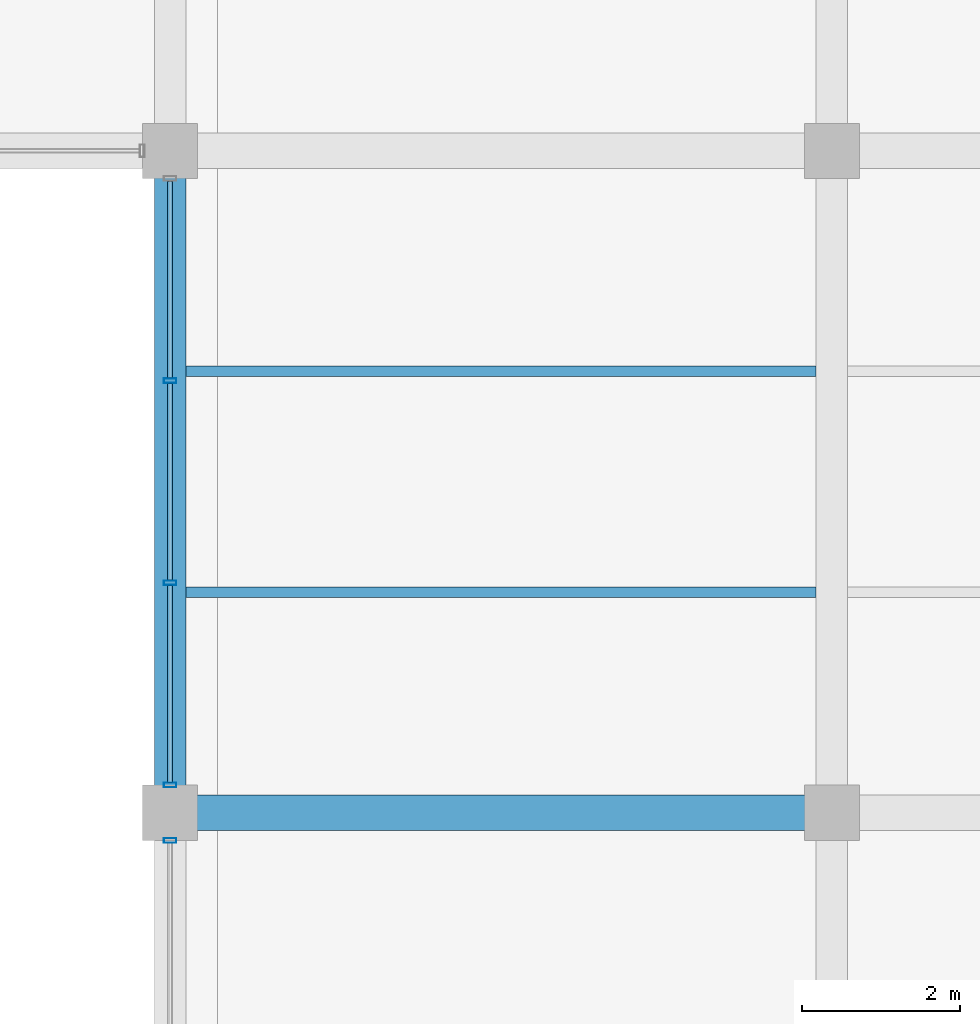
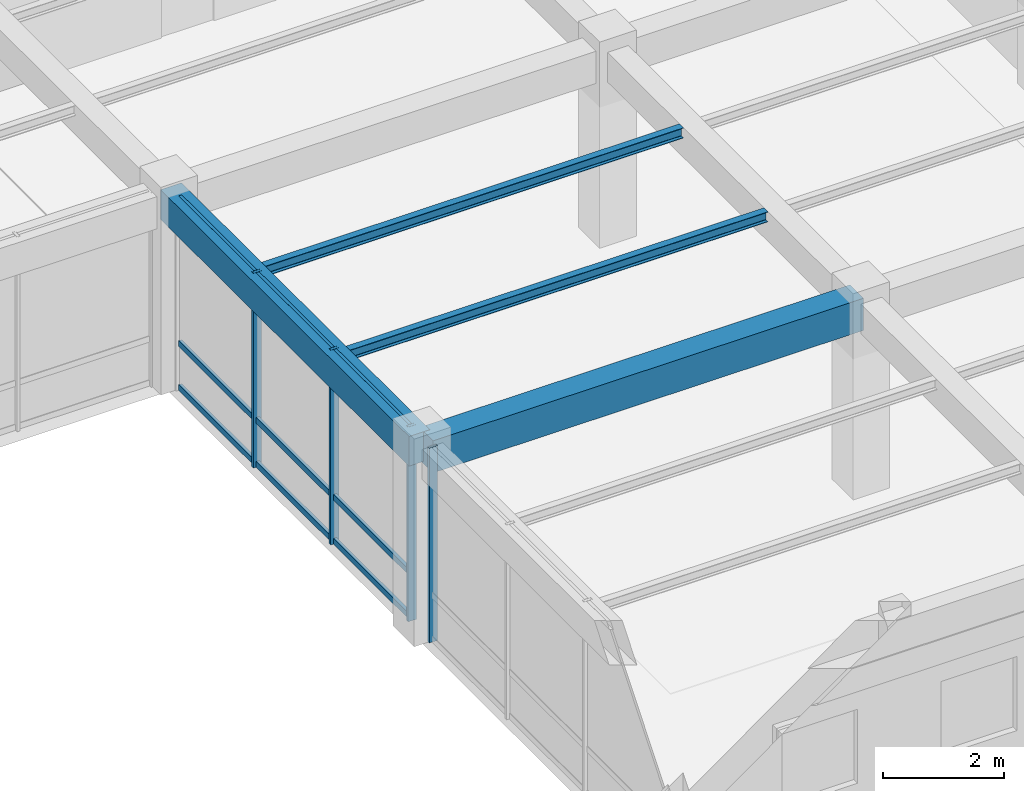
# One storey, part 18 of 152: 13 members, 4 beams, 2 elements without a shape of their own.
"""IFC4 building model written with IfcOpenShell, lengths in metres."""

from ifc_helpers import new_model, si_unit, direction, frame, origin, origin_2d, place, context, subcontext, project, spatial, rectangle, hollow_rectangle, i_section, extrude, material, material_profile, profile_set, type_object, element, aggregate, save


model = new_model("IFC4")

# Units and contexts
model_context = context("Model", 3, precision=1e-05, world=origin(), true_north=direction((0.0, 1.0)))
body_context = subcontext(model_context, "Body", "Model", "MODEL_VIEW")
ifc_project = project(units=[si_unit("LENGTHUNIT", "METRE"), si_unit("AREAUNIT", "SQUARE_METRE"), si_unit("VOLUMEUNIT", "CUBIC_METRE"), si_unit("PLANEANGLEUNIT", "RADIAN"), si_unit("MASSUNIT", "GRAM", prefix="KILO"), si_unit("THERMODYNAMICTEMPERATUREUNIT", "KELVIN"), si_unit("POWERUNIT", "WATT")], contexts=[model_context])

# Site, building, storey
site_placement = place(None, origin())
site = spatial("IfcSite", under=ifc_project, at=site_placement, CompositionType="ELEMENT")
building_placement = place(site_placement, origin())
building = spatial("IfcBuilding", under=site, at=building_placement, Name="Darbajah Civic Hall", CompositionType="ELEMENT")
storey_placement = place(building_placement, frame((0.0, 0.0, 5.39990234375)))
storey = spatial("IfcBuildingStorey", under=building, at=storey_placement, Name="L01", CompositionType="ELEMENT", Elevation=5.39990234375)

# Curtain wall, members
ifc_material_1 = material(Name="Anodised Bronze Aluminium and Low-E Glazing", Category="aluminium")
curtain_wall_type = type_object("IfcCurtainWallType", Name="Unitised Curtain Wall CW-99 7700x3950", PredefinedType="USERDEFINED", material=ifc_material_1)
curtain_wall_1_placement = place(storey_placement, origin())
curtain_wall_1 = element("IfcCurtainWall", 1, at=curtain_wall_1_placement, inside=storey, type_object=curtain_wall_type, Name="L01 unitised curtain wall CW-V5-L01-S3-B0", ObjectType="UNITISED CURTAIN WALL", PredefinedType="USERDEFINED")
ifc_material_2 = material(Name="Anodised Bronze Aluminium", Category="aluminium")
ifc_material_profile_1 = material_profile(ifc_material_2, hollow_rectangle(XDim=0.06005859375, YDim=0.159912109375, WallThickness=0.00341796875, at=origin_2d()), Name="ALU MULLION 60x160")
ifc_profile_set_1 = profile_set([ifc_material_profile_1], Name="Anodised Bronze Aluminium")
member_type_1 = type_object("IfcMemberType", Name="ALU MULLION 60x160", PredefinedType="MULLION", material=ifc_profile_set_1)
member_1_placement = place(storey_placement, frame((50.39990234375, 13.8828125, 0.0), z_axis=(0.0, 0.0, 1.0), x_axis=(0.0, -1.0, 0.0)))
member_1 = element("IfcMember", 2, at=member_1_placement, type_object=member_type_1, Name="CW-V5-L01-S3-B0 mullion 2", PredefinedType="MULLION", context=body_context, shape_type="SweptSolid", body=[
    extrude(hollow_rectangle(XDim=0.06005859375, YDim=0.159912109375, WallThickness=0.00341796875, at=origin_2d()), origin(), (0.0, 0.0, 1.0), 3.940185546875),
])
member_2_placement = place(storey_placement, frame((50.39990234375, 11.3173828125, 0.0), z_axis=(0.0, 0.0, 1.0), x_axis=(0.0, -1.0, 0.0)))
member_2 = element("IfcMember", 3, at=member_2_placement, type_object=member_type_1, Name="CW-V5-L01-S3-B0 mullion 3", PredefinedType="MULLION", context=body_context, shape_type="SweptSolid", body=[
    extrude(hollow_rectangle(XDim=0.06005859375, YDim=0.159912109375, WallThickness=0.00341796875, at=origin_2d()), origin(), (0.0, 0.0, 1.0), 3.940185546875),
])
member_3_placement = place(storey_placement, frame((50.39990234375, 8.751953125, 0.0), z_axis=(0.0, 0.0, 1.0), x_axis=(0.0, -1.0, 0.0)))
member_3 = element("IfcMember", 4, at=member_3_placement, type_object=member_type_1, Name="CW-V5-L01-S3-B0 mullion 4", PredefinedType="MULLION", context=body_context, shape_type="SweptSolid", body=[
    extrude(hollow_rectangle(XDim=0.06005859375, YDim=0.159912109375, WallThickness=0.00341796875, at=origin_2d()), origin(), (0.0, 0.0, 1.0), 3.940185546875),
])

# Curtain wall, member
curtain_wall_2_placement = place(storey_placement, origin())
curtain_wall_2 = element("IfcCurtainWall", 5, at=curtain_wall_2_placement, inside=storey, type_object=curtain_wall_type, Name="L01 unitised curtain wall CW-V5-L01-S3-B1", ObjectType="UNITISED CURTAIN WALL", PredefinedType="USERDEFINED")
member_4_placement = place(storey_placement, frame((50.39990234375, 8.048095703125, 0.0), z_axis=(0.0, 0.0, 1.0), x_axis=(0.0, -1.0, 0.0)))
member_4 = element("IfcMember", 6, at=member_4_placement, type_object=member_type_1, Name="CW-V5-L01-S3-B1 mullion 1", PredefinedType="MULLION", context=body_context, shape_type="SweptSolid", body=[
    extrude(hollow_rectangle(XDim=0.06005859375, YDim=0.159912109375, WallThickness=0.00341796875, at=origin_2d()), origin(), (0.0, 0.0, 1.0), 3.940185546875),
])
aggregate(curtain_wall_2, [member_4])

# Member
ifc_material_profile_2 = material_profile(ifc_material_2, hollow_rectangle(XDim=0.06005859375, YDim=0.1201171875, WallThickness=0.003173828125, at=origin_2d()), Name="ALU TRANSOM 60x120")
ifc_profile_set_2 = profile_set([ifc_material_profile_2], Name="Anodised Bronze Aluminium")
member_type_2 = type_object("IfcMemberType", Name="ALU TRANSOM 60x120", PredefinedType="USERDEFINED", material=ifc_profile_set_2)
member_5_placement = place(storey_placement, frame((50.39990234375, 16.4130859375, 0.06005859375), z_axis=(0.0, -1.0, 0.0), x_axis=(1.0, 0.0, 0.0)))
member_5 = element("IfcMember", 7, at=member_5_placement, type_object=member_type_2, Name="CW-V5-L01-S3-B0 transom 1.1", ObjectType="TRANSOM", PredefinedType="USERDEFINED", context=body_context, shape_type="SweptSolid", body=[
    extrude(hollow_rectangle(XDim=0.06005859375, YDim=0.1201171875, WallThickness=0.003173828125, at=origin_2d()), origin(), (0.0, 0.0, 1.0), 2.495361328125),
])

member_6_placement = place(storey_placement, frame((50.39990234375, 16.4130859375, 0.9501953125), z_axis=(0.0, -1.0, 0.0), x_axis=(1.0, 0.0, 0.0)))
member_6 = element("IfcMember", 8, at=member_6_placement, type_object=member_type_2, Name="CW-V5-L01-S3-B0 transom 1.2", ObjectType="TRANSOM", PredefinedType="USERDEFINED", context=body_context, shape_type="SweptSolid", body=[
    extrude(hollow_rectangle(XDim=0.06005859375, YDim=0.1201171875, WallThickness=0.003173828125, at=origin_2d()), origin(), (0.0, 0.0, 1.0), 2.495361328125),
])

member_7_placement = place(storey_placement, frame((50.39990234375, 16.4130859375, 3.880126953125), z_axis=(0.0, -1.0, 0.0), x_axis=(1.0, 0.0, 0.0)))
member_7 = element("IfcMember", 9, at=member_7_placement, type_object=member_type_2, Name="CW-V5-L01-S3-B0 transom 1.3", ObjectType="TRANSOM", PredefinedType="USERDEFINED", context=body_context, shape_type="SweptSolid", body=[
    extrude(hollow_rectangle(XDim=0.06005859375, YDim=0.1201171875, WallThickness=0.003173828125, at=origin_2d()), origin(), (0.0, 0.0, 1.0), 2.495361328125),
])

member_8_placement = place(storey_placement, frame((50.39990234375, 13.84765625, 0.06005859375), z_axis=(0.0, -1.0, 0.0), x_axis=(1.0, 0.0, 0.0)))
member_8 = element("IfcMember", 10, at=member_8_placement, type_object=member_type_2, Name="CW-V5-L01-S3-B0 transom 2.1", ObjectType="TRANSOM", PredefinedType="USERDEFINED", context=body_context, shape_type="SweptSolid", body=[
    extrude(hollow_rectangle(XDim=0.06005859375, YDim=0.1201171875, WallThickness=0.003173828125, at=origin_2d()), origin(), (0.0, 0.0, 1.0), 2.495361328125),
])

member_9_placement = place(storey_placement, frame((50.39990234375, 13.84765625, 0.9501953125), z_axis=(0.0, -1.0, 0.0), x_axis=(1.0, 0.0, 0.0)))
member_9 = element("IfcMember", 11, at=member_9_placement, type_object=member_type_2, Name="CW-V5-L01-S3-B0 transom 2.2", ObjectType="TRANSOM", PredefinedType="USERDEFINED", context=body_context, shape_type="SweptSolid", body=[
    extrude(hollow_rectangle(XDim=0.06005859375, YDim=0.1201171875, WallThickness=0.003173828125, at=origin_2d()), origin(), (0.0, 0.0, 1.0), 2.495361328125),
])

member_10_placement = place(storey_placement, frame((50.39990234375, 13.84765625, 3.880126953125), z_axis=(0.0, -1.0, 0.0), x_axis=(1.0, 0.0, 0.0)))
member_10 = element("IfcMember", 12, at=member_10_placement, type_object=member_type_2, Name="CW-V5-L01-S3-B0 transom 2.3", ObjectType="TRANSOM", PredefinedType="USERDEFINED", context=body_context, shape_type="SweptSolid", body=[
    extrude(hollow_rectangle(XDim=0.06005859375, YDim=0.1201171875, WallThickness=0.003173828125, at=origin_2d()), origin(), (0.0, 0.0, 1.0), 2.495361328125),
])

member_11_placement = place(storey_placement, frame((50.39990234375, 11.2822265625, 0.06005859375), z_axis=(0.0, -1.0, 0.0), x_axis=(1.0, 0.0, 0.0)))
member_11 = element("IfcMember", 13, at=member_11_placement, type_object=member_type_2, Name="CW-V5-L01-S3-B0 transom 3.1", ObjectType="TRANSOM", PredefinedType="USERDEFINED", context=body_context, shape_type="SweptSolid", body=[
    extrude(hollow_rectangle(XDim=0.06005859375, YDim=0.1201171875, WallThickness=0.003173828125, at=origin_2d()), origin(), (0.0, 0.0, 1.0), 2.4951171875),
])

member_12_placement = place(storey_placement, frame((50.39990234375, 11.2822265625, 0.9501953125), z_axis=(0.0, -1.0, 0.0), x_axis=(1.0, 0.0, 0.0)))
member_12 = element("IfcMember", 14, at=member_12_placement, type_object=member_type_2, Name="CW-V5-L01-S3-B0 transom 3.2", ObjectType="TRANSOM", PredefinedType="USERDEFINED", context=body_context, shape_type="SweptSolid", body=[
    extrude(hollow_rectangle(XDim=0.06005859375, YDim=0.1201171875, WallThickness=0.003173828125, at=origin_2d()), origin(), (0.0, 0.0, 1.0), 2.4951171875),
])

member_13_placement = place(storey_placement, frame((50.39990234375, 11.2822265625, 3.880126953125), z_axis=(0.0, -1.0, 0.0), x_axis=(1.0, 0.0, 0.0)))
member_13 = element("IfcMember", 15, at=member_13_placement, type_object=member_type_2, Name="CW-V5-L01-S3-B0 transom 3.3", ObjectType="TRANSOM", PredefinedType="USERDEFINED", context=body_context, shape_type="SweptSolid", body=[
    extrude(hollow_rectangle(XDim=0.06005859375, YDim=0.1201171875, WallThickness=0.003173828125, at=origin_2d()), origin(), (0.0, 0.0, 1.0), 2.4951171875),
])

aggregate(curtain_wall_1, [member_1, member_2, member_3, member_5, member_6, member_7, member_8, member_9, member_10, member_11, member_12, member_13])

# Beams
ifc_material_3 = material(Name="Concrete C45/55", Category="concrete")
ifc_material_profile_3 = material_profile(ifc_material_3, rectangle(XDim=0.39990234375, YDim=0.60009765625, at=origin_2d()), Name="RC BEAM 400x600")
ifc_profile_set_3 = profile_set([ifc_material_profile_3], Name="Concrete C45/55")
beam_type_1 = type_object("IfcBeamType", Name="RC BEAM 400x600", PredefinedType="BEAM", material=ifc_profile_set_3)
beam_1_placement = place(storey_placement, frame((50.39990234375, 8.47998046875, 3.64013671875), z_axis=(0.0, 1.0, 0.0), x_axis=(-1.0, 0.0, 0.0)))
element("IfcBeam", 16, at=beam_1_placement, inside=storey, type_object=beam_type_1, Name="L01 beam BM-4060", PredefinedType="BEAM", context=body_context, shape_type="SweptSolid", body=[
    extrude(rectangle(XDim=0.39990234375, YDim=0.60009765625, at=origin_2d()), origin(), (0.0, 0.0, 1.0), 8.239990234375),
])
ifc_material_profile_4 = material_profile(ifc_material_3, rectangle(XDim=0.449951171875, YDim=0.64990234375, at=origin_2d()), Name="RC BEAM 450x650")
ifc_profile_set_4 = profile_set([ifc_material_profile_4], Name="Concrete C45/55")
beam_type_2 = type_object("IfcBeamType", Name="RC BEAM 450x650", PredefinedType="BEAM", material=ifc_profile_set_4)
beam_2_placement = place(storey_placement, frame((50.47998046875, 8.39990234375, 3.614990234375), z_axis=(1.0, 0.0, 0.0), x_axis=(0.0, 1.0, 0.0)))
element("IfcBeam", 17, at=beam_2_placement, inside=storey, type_object=beam_type_2, Name="L01 beam BM-4565", PredefinedType="BEAM", context=body_context, shape_type="SweptSolid", body=[
    extrude(rectangle(XDim=0.449951171875, YDim=0.64990234375, at=origin_2d()), origin(), (0.0, 0.0, 1.0), 8.239990234375),
])
ifc_material_4 = material(Name="Steel S355JR", Category="steel")
ifc_material_profile_5 = material_profile(ifc_material_4, i_section(OverallWidth=0.1337890625, OverallDepth=0.206787109375, WebThickness=0.00634765625, FlangeThickness=0.009521484375, FilletRadius=0.007568359375, at=origin_2d()), Name="UB 203x133x30")
ifc_profile_set_5 = profile_set([ifc_material_profile_5], Name="Steel S355JR")
beam_type_3 = type_object("IfcBeamType", Name="UB 203x133x30", PredefinedType="JOIST", material=ifc_profile_set_5)
for number, where, z_axis, x_axis, name in (
    (18, (50.60009765625, 11.199951171875, 3.836669921875), (1.0, 0.0, 0.0), (0.0, 1.0, 0.0), "L01 beam SJ-203"),
    (19, (50.60009765625, 14.0, 3.836669921875), (1.0, 0.0, 0.0), (0.0, 1.0, 0.0), "L01 beam SJ-203"),
):
    element("IfcBeam", number, at=place(storey_placement, frame(where, z_axis=z_axis, x_axis=x_axis)), inside=storey, type_object=beam_type_3, Name=name, PredefinedType="JOIST", context=body_context, shape_type="SweptSolid", body=[
        extrude(i_section(OverallWidth=0.1337890625, OverallDepth=0.206787109375, WebThickness=0.00634765625, FlangeThickness=0.009521484375, FilletRadius=0.007568359375, at=origin_2d()), origin(), (0.0, 0.0, 1.0), 8.0),
    ])

save(model, "model.ifc")
